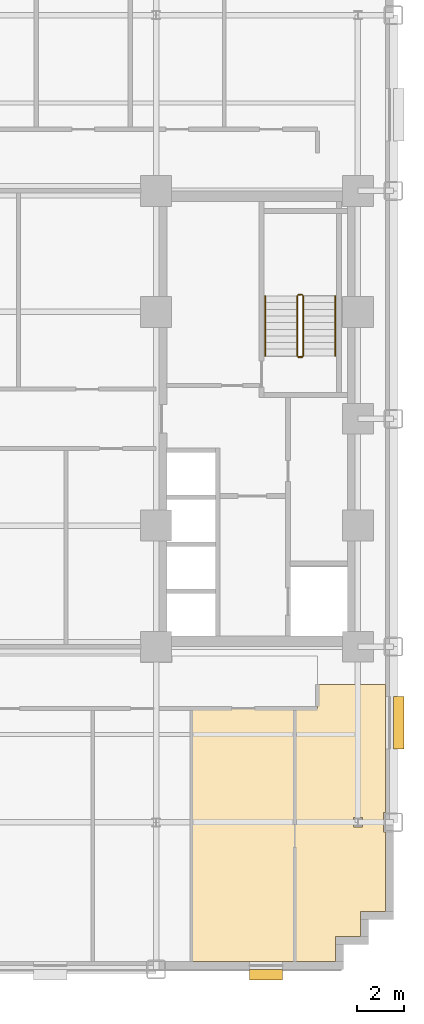
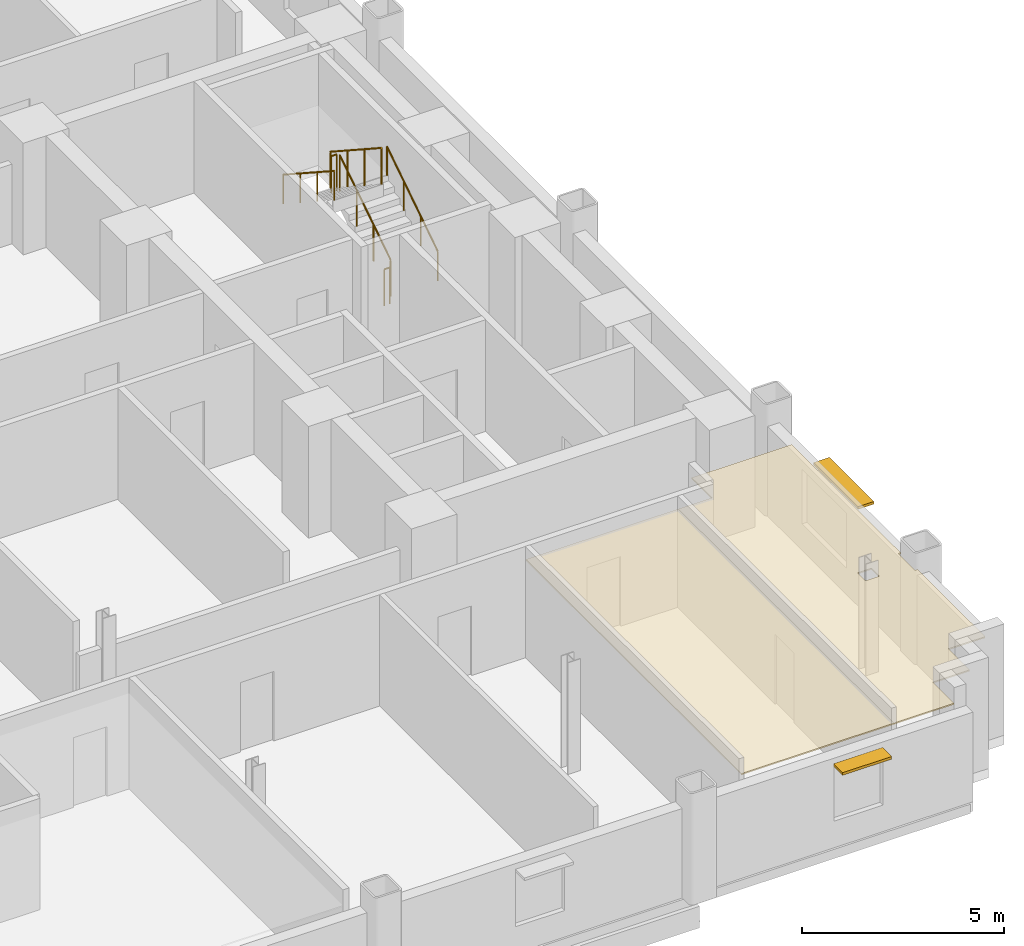
# One storey, part 11 of 12: 6 railings, 2 coverings, 2 shading devices.
"""IFC4 building model written with IfcOpenShell, lengths in metres."""

from ifc_helpers import new_model, si_unit, direction, frame, origin, origin_2d, place, context, subcontext, project, spatial, polyline, rectangle, circle, outline, extrude, source, transform, mapped, material, layer, layer_set, type_object, type_shapes, element, save


model = new_model("IFC4")

# Units and contexts
model_context = context("Model", 3, precision=1e-05, world=origin(), true_north=direction((0.0, 1.0)))
body_context = subcontext(model_context, "Body", "Model", "MODEL_VIEW")
ifc_project = project(units=[si_unit("LENGTHUNIT", "METRE"), si_unit("AREAUNIT", "SQUARE_METRE"), si_unit("VOLUMEUNIT", "CUBIC_METRE"), si_unit("PLANEANGLEUNIT", "RADIAN"), si_unit("MASSUNIT", "GRAM", prefix="KILO")], contexts=[model_context])

# Site, building, storey
site_placement = place(None, origin())
site = spatial("IfcSite", under=ifc_project, at=site_placement, CompositionType="ELEMENT")
building_placement = place(site_placement, origin())
building = spatial("IfcBuilding", under=site, at=building_placement, Name="Nuvemarco Arch Tower", CompositionType="ELEMENT")
storey_placement = place(building_placement, frame((0.0, 0.0, 49.5)))
storey = spatial("IfcBuildingStorey", under=building, at=storey_placement, Name="L12", CompositionType="ELEMENT", Elevation=49.5)

# Coverings
ifc_material_1 = material(Name="Mineral acoustic ceiling tile")
ifc_layer = layer(ifc_material_1, 0.0400390625, Name="COV-ACOUSTIC-CLG")
ifc_layer_set = layer_set([ifc_layer], Name="Mineral acoustic ceiling tile")
covering_type = type_object("IfcCoveringType", Name="COV-ACOUSTIC-CLG", PredefinedType="CEILING", material=ifc_layer_set)
covering_1_placement = place(storey_placement, frame((0.0, 0.0, 2.85009765625)))
element("IfcCovering", 1, at=covering_1_placement, inside=storey, type_object=covering_type, Name="L12 suspended acoustic ceiling 6", PredefinedType="CEILING", context=body_context, shape_type="SweptSolid", body=[
    extrude(outline(polyline([(10.489990234375, -22.860107421875), (10.489990234375, -12.199951171875), (14.840087890625, -12.199951171875), (14.840087890625, -22.860107421875), (10.489990234375, -22.860107421875)])), origin(), (0.0, 0.0, 1.0), 0.039794921875),
])
covering_2_placement = place(storey_placement, frame((0.0, 0.0, 2.85009765625)))
element("IfcCovering", 2, at=covering_2_placement, inside=storey, type_object=covering_type, Name="L12 suspended acoustic ceiling 8", PredefinedType="CEILING", context=body_context, shape_type="SweptSolid", body=[
    extrude(outline(polyline([(16.56005859375, -22.860107421875), (14.840087890625, -22.860107421875), (14.840087890625, -12.199951171875), (15.800048828125, -12.199951171875), (15.800048828125, -11.199951171875), (18.659912109375, -11.199951171875), (18.659912109375, -16.5849609375), (18.5849609375, -16.5849609375), (18.5849609375, -17.4150390625), (18.659912109375, -17.4150390625), (18.659912109375, -20.760009765625), (17.610107421875, -20.760009765625), (17.610107421875, -21.81005859375), (16.56005859375, -21.81005859375), (16.56005859375, -22.860107421875)]), holes=[polyline([(17.695068359375, -17.195068359375), (17.695068359375, -16.804931640625), (17.304931640625, -16.804931640625), (17.304931640625, -17.195068359375), (17.695068359375, -17.195068359375)])]), origin(), (0.0, 0.0, 1.0), 0.039794921875),
])

# Railings
ifc_material_2 = material(Name="Brushed stainless steel handrail", Category="steel")
railing_type_1 = type_object("IfcRailingType", Name="RL-HANDRAIL-900", PredefinedType="HANDRAIL", material=ifc_material_2)
railing_1_placement = place(storey_placement, frame((16.550048828125, 2.64990234375, 0.1826171875)))
element("IfcRailing", 3, at=railing_1_placement, inside=storey, type_object=railing_type_1, Name="L12 ST-2 stair handrail 1", PredefinedType="HANDRAIL", context=body_context, shape_type="SweptSolid", body=[
    extrude(circle(Radius=0.02392578125, at=origin_2d()), frame((0.0, 0.0, 0.8759765625), z_axis=(0.0, 0.837786554691, 0.545997883492), x_axis=(-1.0, 0.0, 0.0)), (0.0, 0.0, 1.0), 3.008056640625),
    extrude(circle(Radius=0.02099609375, at=origin_2d()), origin(), (0.0, 0.0, 1.0), 0.851806640625),
    extrude(circle(Radius=0.02099609375, at=origin_2d()), frame((0.0, 0.840087890625, 0.54736328125)), (0.0, 0.0, 1.0), 0.851806640625),
    extrude(circle(Radius=0.02099609375, at=origin_2d()), frame((0.0, 1.679931640625, 1.094970703125)), (0.0, 0.0, 1.0), 0.851806640625),
    extrude(circle(Radius=0.02099609375, at=origin_2d()), frame((0.0, 2.52001953125, 1.642333984375)), (0.0, 0.0, 1.0), 0.851806640625),
])
railing_2_placement = place(storey_placement, frame((13.590087890625, 5.169921875, 2.007568359375)))
element("IfcRailing", 4, at=railing_2_placement, inside=storey, type_object=railing_type_1, Name="L12 ST-2 stair handrail 2", PredefinedType="HANDRAIL", context=body_context, shape_type="SweptSolid", body=[
    extrude(circle(Radius=0.02392578125, at=origin_2d()), frame((0.0, 0.0, 0.8759765625), z_axis=(0.0, -0.837786554691, 0.545997883492), x_axis=(1.0, 0.0, 0.0)), (0.0, 0.0, 1.0), 3.008056640625),
    extrude(circle(Radius=0.02099609375, at=origin_2d()), origin(), (0.0, 0.0, 1.0), 0.851806640625),
    extrude(circle(Radius=0.02099609375, at=origin_2d()), frame((0.0, -0.840087890625, 0.54736328125)), (0.0, 0.0, 1.0), 0.851806640625),
    extrude(circle(Radius=0.02099609375, at=origin_2d()), frame((0.0, -1.679931640625, 1.094970703125)), (0.0, 0.0, 1.0), 0.851806640625),
    extrude(circle(Radius=0.02099609375, at=origin_2d()), frame((0.0, -2.52001953125, 1.642333984375)), (0.0, 0.0, 1.0), 0.851806640625),
])
ifc_material_3 = material(Name="Painted balustrade steel S355", Category="steel")
railing_type_2 = type_object("IfcRailingType", Name="RL-STAIR-GUARD", PredefinedType="GUARDRAIL", material=ifc_material_3)
railing_3_placement = place(storey_placement, frame((15.199951171875, 2.64990234375, 0.1826171875)))
element("IfcRailing", 5, at=railing_3_placement, inside=storey, type_object=railing_type_2, Name="L12 ST-2 stair guard 1", PredefinedType="GUARDRAIL", context=body_context, shape_type="SweptSolid", body=[
    extrude(circle(Radius=0.02392578125, at=origin_2d()), frame((0.0, 0.0, 1.09619140625), z_axis=(0.0, 0.837786554691, 0.545997883492), x_axis=(-1.0, 0.0, 0.0)), (0.0, 0.0, 1.0), 3.008056640625),
    extrude(circle(Radius=0.02099609375, at=origin_2d()), origin(), (0.0, 0.0, 1.0), 1.072021484375),
    extrude(circle(Radius=0.02099609375, at=origin_2d()), frame((0.0, 0.840087890625, 0.54736328125)), (0.0, 0.0, 1.0), 1.072021484375),
    extrude(circle(Radius=0.02099609375, at=origin_2d()), frame((0.0, 1.679931640625, 1.094970703125)), (0.0, 0.0, 1.0), 1.072021484375),
    extrude(circle(Radius=0.02099609375, at=origin_2d()), frame((0.0, 2.52001953125, 1.642333984375)), (0.0, 0.0, 1.0), 1.072021484375),
])
railing_4_placement = place(storey_placement, frame((15.14990234375, 5.219970703125, 1.824951171875)))
element("IfcRailing", 6, at=railing_4_placement, inside=storey, type_object=railing_type_2, Name="L12 ST-2 stair guard 2", PredefinedType="GUARDRAIL", context=body_context, shape_type="SweptSolid", body=[
    extrude(circle(Radius=0.02392578125, at=origin_2d()), frame((0.0, 0.0, 1.09619140625), z_axis=(-1.0, 0.0, 0.0), x_axis=(0.0, -1.0, 0.0)), (0.0, 0.0, 1.0), 0.159912109375),
    extrude(circle(Radius=0.02099609375, at=origin_2d()), origin(), (0.0, 0.0, 1.0), 1.072021484375),
    extrude(circle(Radius=0.02099609375, at=origin_2d()), frame((-0.159912109375, 0.0, 0.0)), (0.0, 0.0, 1.0), 1.072021484375),
])
railing_5_placement = place(storey_placement, frame((14.93994140625, 5.169921875, 2.007568359375)))
element("IfcRailing", 7, at=railing_5_placement, inside=storey, type_object=railing_type_2, Name="L12 ST-2 stair guard 3", PredefinedType="GUARDRAIL", context=body_context, shape_type="SweptSolid", body=[
    extrude(circle(Radius=0.02392578125, at=origin_2d()), frame((0.0, 0.0, 1.09619140625), z_axis=(0.0, -0.837786554691, 0.545997883492), x_axis=(1.0, 0.0, 0.0)), (0.0, 0.0, 1.0), 3.008056640625),
    extrude(circle(Radius=0.02099609375, at=origin_2d()), origin(), (0.0, 0.0, 1.0), 1.072021484375),
    extrude(circle(Radius=0.02099609375, at=origin_2d()), frame((0.0, -0.840087890625, 0.54736328125)), (0.0, 0.0, 1.0), 1.072021484375),
    extrude(circle(Radius=0.02099609375, at=origin_2d()), frame((0.0, -1.679931640625, 1.094970703125)), (0.0, 0.0, 1.0), 1.072021484375),
    extrude(circle(Radius=0.02099609375, at=origin_2d()), frame((0.0, -2.52001953125, 1.642333984375)), (0.0, 0.0, 1.0), 1.072021484375),
])
railing_6_placement = place(storey_placement, frame((15.14990234375, 2.60009765625, 0.0)))
element("IfcRailing", 8, at=railing_6_placement, inside=storey, type_object=railing_type_2, Name="L12 ST-2 stair guard 4", PredefinedType="GUARDRAIL", context=body_context, shape_type="SweptSolid", body=[
    extrude(circle(Radius=0.02392578125, at=origin_2d()), frame((0.0, 0.0, 1.09619140625), z_axis=(-1.0, 0.0, 0.0), x_axis=(0.0, -1.0, 0.0)), (0.0, 0.0, 1.0), 0.159912109375),
    extrude(circle(Radius=0.02099609375, at=origin_2d()), origin(), (0.0, 0.0, 1.0), 1.072021484375),
    extrude(circle(Radius=0.02099609375, at=origin_2d()), frame((-0.159912109375, 0.0, 0.0)), (0.0, 0.0, 1.0), 1.072021484375),
])

# Shading devices
ifc_material_4 = material(Name="Anodised aluminium 6063-T6", Category="aluminium")
shading_device_type_1 = type_object("IfcShadingDeviceType", Name="SHD-BRISE-SOLEIL", PredefinedType="USERDEFINED", material=ifc_material_4)
shared_shape_1 = source(origin(), body_context, "Body", "SweptSolid", [
    extrude(rectangle(XDim=2.199951171875, YDim=0.449951171875, at=origin_2d()), origin(), (0.0, 0.0, 1.0), 0.080078125),
])
type_shapes(shading_device_type_1, [shared_shape_1])
shading_device_1_placement = place(storey_placement, frame((19.215087890625, -12.802490234375, 2.455078125), z_axis=(0.0, 0.0, 1.0), x_axis=(0.0, 1.0, 0.0)))
element("IfcShadingDevice", 9, at=shading_device_1_placement, inside=storey, type_object=shading_device_type_1, Name="L12 horizontal brise-soleil sunshade", ObjectType="SUNSHADE", PredefinedType="USERDEFINED", context=body_context, shape_type="MappedRepresentation", body=[
    mapped(shared_shape_1, transform((0.0, 0.0, 0.0), scale=1.0)),
])
shading_device_type_2 = type_object("IfcShadingDeviceType", Name="SHD-BRISE-NARROW", PredefinedType="USERDEFINED", material=ifc_material_4)
shared_shape_2 = source(origin(), body_context, "Body", "SweptSolid", [
    extrude(rectangle(XDim=1.39990234375, YDim=0.449951171875, at=origin_2d()), origin(), (0.0, 0.0, 1.0), 0.080078125),
])
type_shapes(shading_device_type_2, [shared_shape_2])
shading_device_2_placement = place(storey_placement, frame((13.628662109375, -23.4150390625, 2.455078125), z_axis=(0.0, 0.0, 1.0), x_axis=(1.0, 0.0, 0.0)))
element("IfcShadingDevice", 10, at=shading_device_2_placement, inside=storey, type_object=shading_device_type_2, Name="L12 horizontal brise-soleil sunshade", ObjectType="SUNSHADE", PredefinedType="USERDEFINED", context=body_context, shape_type="MappedRepresentation", body=[
    mapped(shared_shape_2, transform((0.0, 0.0, 0.0), scale=1.0)),
])

save(model, "model.ifc")
